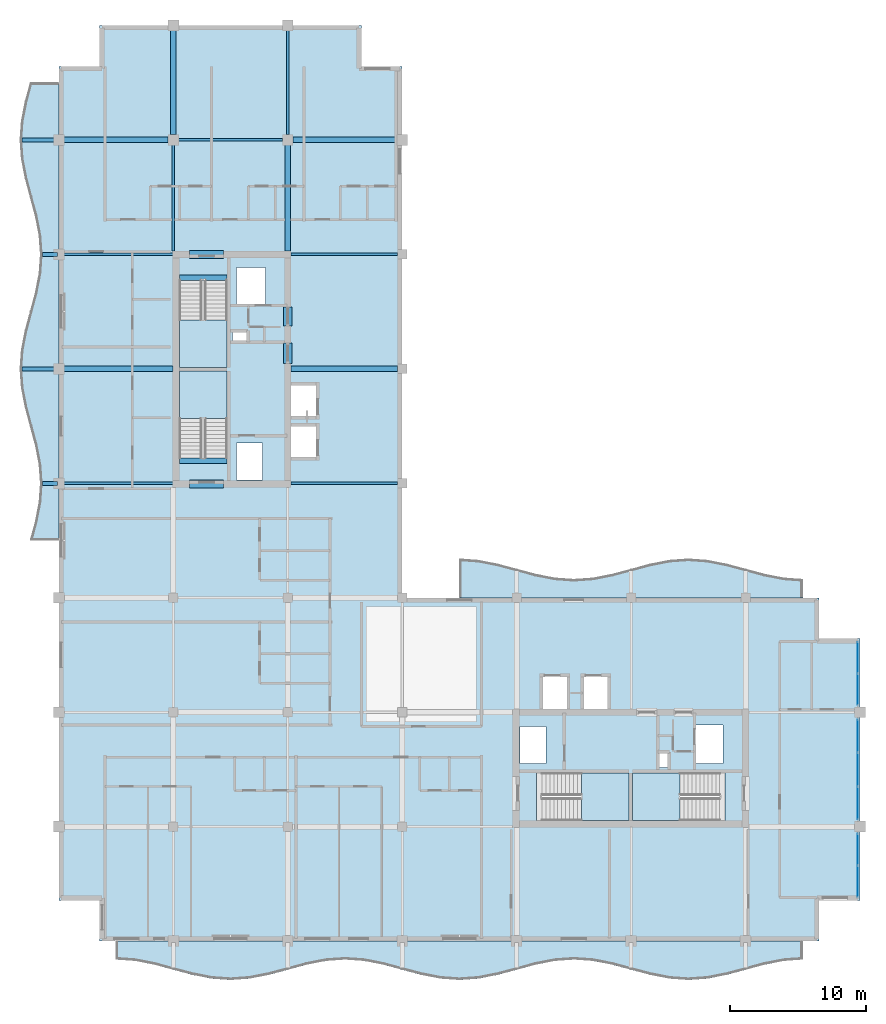
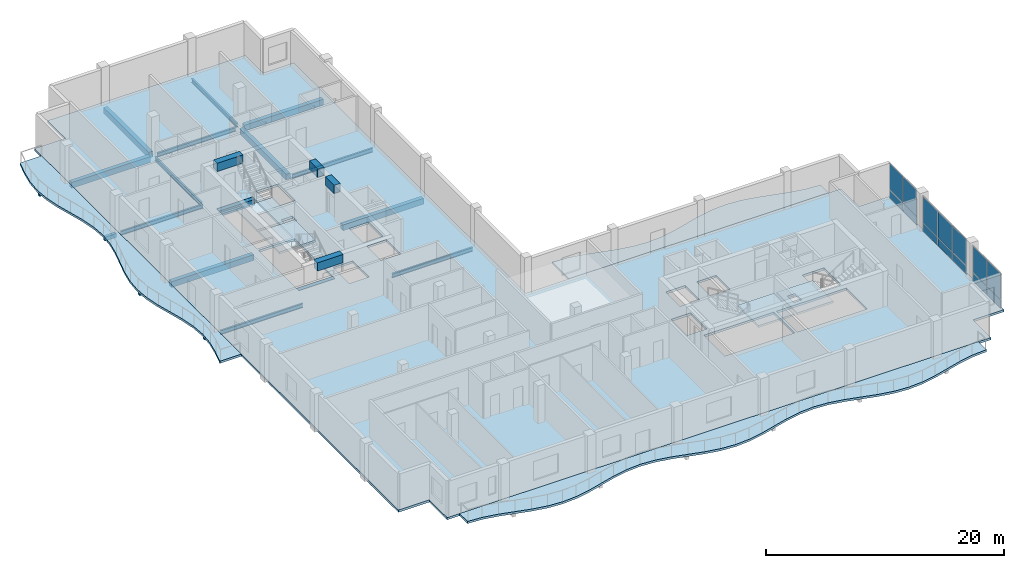
# One storey, part 5 of 15: 23 beams, 14 plates, 8 slabs, 7 elements without a shape of their own.
"""IFC4 building model written with IfcOpenShell, lengths in metres."""

from ifc_helpers import new_model, si_unit, direction, frame, origin, origin_2d, place, context, subcontext, project, spatial, polyline, rectangle, i_section, outline, extrude, material, layer, layer_set, material_profile, profile_set, type_object, element, aggregate, save


model = new_model("IFC4")

# Units and contexts
model_context = context("Model", 3, precision=1e-05, world=origin(), true_north=direction((0.0, 1.0)))
body_context = subcontext(model_context, "Body", "Model", "MODEL_VIEW")
ifc_project = project(units=[si_unit("LENGTHUNIT", "METRE"), si_unit("AREAUNIT", "SQUARE_METRE"), si_unit("VOLUMEUNIT", "CUBIC_METRE"), si_unit("PLANEANGLEUNIT", "RADIAN"), si_unit("MASSUNIT", "GRAM", prefix="KILO")], contexts=[model_context])

# Site, building, storey
site_placement = place(None, origin())
site = spatial("IfcSite", under=ifc_project, at=site_placement, CompositionType="ELEMENT")
building_placement = place(site_placement, origin())
building = spatial("IfcBuilding", under=site, at=building_placement, Name="Koriwani Terraces Tower", CompositionType="ELEMENT")
storey_placement = place(building_placement, frame((0.0, 0.0, 324.199951171875)))
storey = spatial("IfcBuildingStorey", under=building, at=storey_placement, Name="L80", CompositionType="ELEMENT", Elevation=324.199951171875)

# Beams
ifc_material_1 = material(Name="Concrete C40/50", Category="concrete")
ifc_material_profile_1 = material_profile(ifc_material_1, rectangle(XDim=0.300048828125, YDim=0.39990234375, at=origin_2d()), Name="Concrete C40/50", Category="LoadBearing")
ifc_profile_set_1 = profile_set([ifc_material_profile_1], Name="Concrete C40/50")
beam_type_1 = type_object("IfcBeamType", Name="BEAM_RC_BALCONY_RIB_300X400", PredefinedType="JOIST", material=ifc_profile_set_1)
beam_1_placement = place(storey_placement, frame((7.199951171875, 42.0, -0.429931640625), z_axis=(1.0, 0.0, 0.0), x_axis=(0.0, 1.0, 0.0)))
element("IfcBeam", 1, at=beam_1_placement, inside=storey, type_object=beam_type_1, Name="L80 Balcony Bracket Rib W-1", PredefinedType="JOIST", context=body_context, shape_type="SweptSolid", body=[
    extrude(rectangle(XDim=0.300048828125, YDim=0.39990234375, at=origin_2d()), origin(), (0.0, 0.0, 1.0), 1.10009765625),
])
beam_2_placement = place(storey_placement, frame((5.699951171875, 50.39990234375, -0.429931640625), z_axis=(1.0, 0.0, 0.0), x_axis=(0.0, 1.0, 0.0)))
element("IfcBeam", 2, at=beam_2_placement, inside=storey, type_object=beam_type_1, Name="L80 Balcony Bracket Rib W-2", PredefinedType="JOIST", context=body_context, shape_type="SweptSolid", body=[
    extrude(rectangle(XDim=0.300048828125, YDim=0.39990234375, at=origin_2d()), origin(), (0.0, 0.0, 1.0), 2.60009765625),
])
beam_3_placement = place(storey_placement, frame((7.199951171875, 58.800048828125, -0.429931640625), z_axis=(1.0, 0.0, 0.0), x_axis=(0.0, 1.0, 0.0)))
element("IfcBeam", 3, at=beam_3_placement, inside=storey, type_object=beam_type_1, Name="L80 Balcony Bracket Rib W-3", PredefinedType="JOIST", context=body_context, shape_type="SweptSolid", body=[
    extrude(rectangle(XDim=0.300048828125, YDim=0.39990234375, at=origin_2d()), origin(), (0.0, 0.0, 1.0), 1.10009765625),
])
beam_4_placement = place(storey_placement, frame((5.699951171875, 67.199951171875, -0.429931640625), z_axis=(1.0, 0.0, 0.0), x_axis=(0.0, 1.0, 0.0)))
element("IfcBeam", 4, at=beam_4_placement, inside=storey, type_object=beam_type_1, Name="L80 Balcony Bracket Rib W-4", PredefinedType="JOIST", context=body_context, shape_type="SweptSolid", body=[
    extrude(rectangle(XDim=0.300048828125, YDim=0.39990234375, at=origin_2d()), origin(), (0.0, 0.0, 1.0), 2.60009765625),
])
ifc_material_2 = material(Name="Concrete C50/60", Category="concrete")
ifc_material_profile_2 = material_profile(ifc_material_2, rectangle(XDim=0.60009765625, YDim=0.85009765625, at=origin_2d()), Name="Concrete C50/60", Category="LoadBearing")
ifc_profile_set_2 = profile_set([ifc_material_profile_2], Name="Concrete C50/60")
beam_type_2 = type_object("IfcBeamType", Name="BEAM_RC_COUPLING_600X850", PredefinedType="LINTEL", material=ifc_profile_set_2)
beam_5_placement = place(storey_placement, frame((25.199951171875, 50.800048828125, 3.2451171875), z_axis=(0.0, 1.0, 0.0), x_axis=(-1.0, 0.0, 0.0)))
element("IfcBeam", 5, at=beam_5_placement, inside=storey, type_object=beam_type_2, Name="L80 Core Coupling Lintel Beam WE1", PredefinedType="LINTEL", context=body_context, shape_type="SweptSolid", body=[
    extrude(rectangle(XDim=0.60009765625, YDim=0.85009765625, at=origin_2d()), origin(), (0.0, 0.0, 1.0), 1.47998046875),
])
beam_6_placement = place(storey_placement, frame((25.199951171875, 53.550048828125, 3.2451171875), z_axis=(0.0, 1.0, 0.0), x_axis=(-1.0, 0.0, 0.0)))
element("IfcBeam", 6, at=beam_6_placement, inside=storey, type_object=beam_type_2, Name="L80 Core Coupling Lintel Beam WE2", PredefinedType="LINTEL", context=body_context, shape_type="SweptSolid", body=[
    extrude(rectangle(XDim=0.60009765625, YDim=0.85009765625, at=origin_2d()), origin(), (0.0, 0.0, 1.0), 1.39990234375),
])
for number, where, z_axis, x_axis, name in (
    (7, (18.0, 41.949951171875, 3.2451171875), (1.0, 0.0, 0.0), (0.0, 1.0, 0.0), "L80 Core Coupling Lintel Beam WS"),
    (8, (18.0, 58.800048828125, 3.2451171875), (1.0, 0.0, 0.0), (0.0, 1.0, 0.0), "L80 Core Coupling Lintel Beam WN"),
):
    element("IfcBeam", number, at=place(storey_placement, frame(where, z_axis=z_axis, x_axis=x_axis)), inside=storey, type_object=beam_type_2, Name=name, PredefinedType="LINTEL", context=body_context, shape_type="SweptSolid", body=[
        extrude(rectangle(XDim=0.60009765625, YDim=0.85009765625, at=origin_2d()), origin(), (0.0, 0.0, 1.0), 2.5),
    ])
ifc_material_profile_3 = material_profile(ifc_material_1, rectangle(XDim=0.39990234375, YDim=0.60009765625, at=origin_2d()), Name="Concrete C40/50", Category="LoadBearing")
ifc_profile_set_3 = profile_set([ifc_material_profile_3], Name="Concrete C40/50")
beam_type_3 = type_object("IfcBeamType", Name="BEAM_RC_GRID_400X600", PredefinedType="BEAM", material=ifc_profile_set_3)
for number, where, z_axis, x_axis, name in (
    (9, (17.25, 43.655029296875, -0.300048828125), (1.0, 0.0, 0.0), (0.0, 1.0, 0.0), "L80 Stairwell Header Trimmer Beam ST-W1"),
    (10, (17.25, 57.094970703125, -0.300048828125), (1.0, 0.0, 0.0), (0.0, 1.0, 0.0), "L80 Stairwell Header Trimmer Beam ST-W2"),
):
    element("IfcBeam", number, at=place(storey_placement, frame(where, z_axis=z_axis, x_axis=x_axis)), inside=storey, type_object=beam_type_3, Name=name, PredefinedType="BEAM", context=body_context, shape_type="SweptSolid", body=[
        extrude(rectangle(XDim=0.39990234375, YDim=0.60009765625, at=origin_2d()), origin(), (0.0, 0.0, 1.0), 3.5),
    ])
beam_7_placement = place(storey_placement, frame((8.780029296875, 50.39990234375, -0.530029296875), z_axis=(1.0, 0.0, 0.0), x_axis=(0.0, 1.0, 0.0)))
element("IfcBeam", 11, at=beam_7_placement, inside=storey, type_object=beam_type_3, Name="L80 Grid Beam G (8.4-16.8m)", PredefinedType="BEAM", context=body_context, shape_type="SweptSolid", body=[
    extrude(rectangle(XDim=0.39990234375, YDim=0.60009765625, at=origin_2d()), origin(), (0.0, 0.0, 1.0), 7.989990234375),
])
beam_8_placement = place(storey_placement, frame((25.429931640625, 50.39990234375, -0.530029296875), z_axis=(1.0, 0.0, 0.0), x_axis=(0.0, 1.0, 0.0)))
element("IfcBeam", 12, at=beam_8_placement, inside=storey, type_object=beam_type_3, Name="L80 Grid Beam G (25.2-33.6m)", PredefinedType="BEAM", context=body_context, shape_type="SweptSolid", body=[
    extrude(rectangle(XDim=0.39990234375, YDim=0.60009765625, at=origin_2d()), origin(), (0.0, 0.0, 1.0), 7.840087890625),
])
for number, where, z_axis, x_axis, name in (
    (13, (8.780029296875, 67.199951171875, -0.530029296875), (1.0, 0.0, 0.0), (0.0, 1.0, 0.0), "L80 Grid Beam I (8.4-16.8m)"),
    (14, (25.580078125, 67.199951171875, -0.530029296875), (1.0, 0.0, 0.0), (0.0, 1.0, 0.0), "L80 Grid Beam I (25.2-33.6m)"),
    (15, (16.800048828125, 67.580078125, -0.530029296875), (0.0, 1.0, 0.0), (-1.0, 0.0, 0.0), "L80 Grid Beam 3 (67.2-75.6m)"),
):
    element("IfcBeam", number, at=place(storey_placement, frame(where, z_axis=z_axis, x_axis=x_axis)), inside=storey, type_object=beam_type_3, Name=name, PredefinedType="BEAM", context=body_context, shape_type="SweptSolid", body=[
        extrude(rectangle(XDim=0.39990234375, YDim=0.60009765625, at=origin_2d()), origin(), (0.0, 0.0, 1.0), 7.639892578125),
    ])
beam_9_placement = place(storey_placement, frame((25.199951171875, 59.030029296875, -0.530029296875), z_axis=(0.0, 1.0, 0.0), x_axis=(-1.0, 0.0, 0.0)))
element("IfcBeam", 16, at=beam_9_placement, inside=storey, type_object=beam_type_3, Name="L80 Grid Beam 4 (58.8-67.2m)", PredefinedType="BEAM", context=body_context, shape_type="SweptSolid", body=[
    extrude(rectangle(XDim=0.39990234375, YDim=0.60009765625, at=origin_2d()), origin(), (0.0, 0.0, 1.0), 7.7900390625),
])
ifc_material_3 = material(Name="Steel ASTM A572 Grade 50", Category="steel")
ifc_material_profile_4 = material_profile(ifc_material_3, i_section(OverallWidth=0.180908203125, OverallDepth=0.4169921875, WebThickness=0.010986328125, FlangeThickness=0.018310546875, at=origin_2d()), Name="Steel ASTM A572 Grade 50", Category="LoadBearing")
ifc_profile_set_4 = profile_set([ifc_material_profile_4], Name="Steel ASTM A572 Grade 50")
beam_type_4 = type_object("IfcBeamType", Name="STEEL_BEAM_W410X85", PredefinedType="JOIST", material=ifc_profile_set_4)
beam_10_placement = place(storey_placement, frame((8.780029296875, 42.0, -0.4384765625), z_axis=(1.0, 0.0, 0.0), x_axis=(0.0, 1.0, 0.0)))
element("IfcBeam", 17, at=beam_10_placement, inside=storey, type_object=beam_type_4, Name="L80 Grid Beam F (8.4-16.8m)", PredefinedType="JOIST", context=body_context, shape_type="SweptSolid", body=[
    extrude(i_section(OverallWidth=0.180908203125, OverallDepth=0.4169921875, WebThickness=0.010986328125, FlangeThickness=0.018310546875, at=origin_2d()), origin(), (0.0, 0.0, 1.0), 7.989990234375),
])
beam_11_placement = place(storey_placement, frame((25.429931640625, 42.0, -0.4384765625), z_axis=(1.0, 0.0, 0.0), x_axis=(0.0, 1.0, 0.0)))
element("IfcBeam", 18, at=beam_11_placement, inside=storey, type_object=beam_type_4, Name="L80 Grid Beam F (25.2-33.6m)", PredefinedType="JOIST", context=body_context, shape_type="SweptSolid", body=[
    extrude(i_section(OverallWidth=0.180908203125, OverallDepth=0.4169921875, WebThickness=0.010986328125, FlangeThickness=0.018310546875, at=origin_2d()), origin(), (0.0, 0.0, 1.0), 7.840087890625),
])
beam_12_placement = place(storey_placement, frame((8.780029296875, 58.800048828125, -0.4384765625), z_axis=(1.0, 0.0, 0.0), x_axis=(0.0, 1.0, 0.0)))
element("IfcBeam", 19, at=beam_12_placement, inside=storey, type_object=beam_type_4, Name="L80 Grid Beam H (8.4-16.8m)", PredefinedType="JOIST", context=body_context, shape_type="SweptSolid", body=[
    extrude(i_section(OverallWidth=0.180908203125, OverallDepth=0.4169921875, WebThickness=0.010986328125, FlangeThickness=0.018310546875, at=origin_2d()), origin(), (0.0, 0.0, 1.0), 7.989990234375),
])
beam_13_placement = place(storey_placement, frame((25.429931640625, 58.800048828125, -0.4384765625), z_axis=(1.0, 0.0, 0.0), x_axis=(0.0, 1.0, 0.0)))
element("IfcBeam", 20, at=beam_13_placement, inside=storey, type_object=beam_type_4, Name="L80 Grid Beam H (25.2-33.6m)", PredefinedType="JOIST", context=body_context, shape_type="SweptSolid", body=[
    extrude(i_section(OverallWidth=0.180908203125, OverallDepth=0.4169921875, WebThickness=0.010986328125, FlangeThickness=0.018310546875, at=origin_2d()), origin(), (0.0, 0.0, 1.0), 7.840087890625),
])
beam_14_placement = place(storey_placement, frame((17.179931640625, 67.199951171875, -0.4384765625), z_axis=(1.0, 0.0, 0.0), x_axis=(0.0, 1.0, 0.0)))
element("IfcBeam", 21, at=beam_14_placement, inside=storey, type_object=beam_type_4, Name="L80 Grid Beam I (16.8-25.2m)", PredefinedType="JOIST", context=body_context, shape_type="SweptSolid", body=[
    extrude(i_section(OverallWidth=0.180908203125, OverallDepth=0.4169921875, WebThickness=0.010986328125, FlangeThickness=0.018310546875, at=origin_2d()), origin(), (0.0, 0.0, 1.0), 7.64013671875),
])
beam_15_placement = place(storey_placement, frame((16.800048828125, 59.030029296875, -0.4384765625), z_axis=(0.0, 1.0, 0.0), x_axis=(-1.0, 0.0, 0.0)))
element("IfcBeam", 22, at=beam_15_placement, inside=storey, type_object=beam_type_4, Name="L80 Grid Beam 3 (58.8-67.2m)", PredefinedType="JOIST", context=body_context, shape_type="SweptSolid", body=[
    extrude(i_section(OverallWidth=0.180908203125, OverallDepth=0.4169921875, WebThickness=0.010986328125, FlangeThickness=0.018310546875, at=origin_2d()), origin(), (0.0, 0.0, 1.0), 7.7900390625),
])
beam_16_placement = place(storey_placement, frame((25.199951171875, 67.580078125, -0.4384765625), z_axis=(0.0, 1.0, 0.0), x_axis=(-1.0, 0.0, 0.0)))
element("IfcBeam", 23, at=beam_16_placement, inside=storey, type_object=beam_type_4, Name="L80 Grid Beam 4 (67.2-75.6m)", PredefinedType="JOIST", context=body_context, shape_type="SweptSolid", body=[
    extrude(i_section(OverallWidth=0.180908203125, OverallDepth=0.4169921875, WebThickness=0.010986328125, FlangeThickness=0.018310546875, at=origin_2d()), origin(), (0.0, 0.0, 1.0), 7.639892578125),
])

# Curtain wall, plates
ifc_material_4 = material(Name="Anodised Bronze Aluminium", Category="aluminium")
ifc_layer_1 = layer(ifc_material_4, 0.18994140625, Name="Anodised Bronze Aluminium")
ifc_layer_set_1 = layer_set([ifc_layer_1], Name="Anodised Bronze Aluminium")
curtain_wall_type = type_object("IfcCurtainWallType", Name="CW_PENTHOUSE_ZONE5", PredefinedType="NOTDEFINED", material=ifc_layer_set_1)
curtain_wall_1_placement = place(storey_placement, origin())
curtain_wall_1 = element("IfcCurtainWall", 24, at=curtain_wall_1_placement, inside=storey, type_object=curtain_wall_type, Name="L80 Unitised Curtain Wall (E_TIP) Bay 1", PredefinedType="NOTDEFINED")
ifc_material_5 = material(Name="Tempered Laminated Low-E Glass", Category="glass")
ifc_layer_2 = layer(ifc_material_5, 0.028076171875, Name="Tempered Laminated Low-E Glass")
ifc_layer_set_2 = layer_set([ifc_layer_2], Name="Tempered Laminated Low-E Glass")
plate_type = type_object("IfcPlateType", Name="CW_PANEL_VISION_28", PredefinedType="CURTAIN_PANEL", material=ifc_layer_set_2)
plate_1_placement = place(storey_placement, frame((67.02490234375, 29.215087890625, 0.06494140625), z_axis=(0.0, 0.0, 1.0), x_axis=(0.0, -1.0, 0.0)))
plate_1 = element("IfcPlate", 25, at=plate_1_placement, type_object=plate_type, Name="CW-Z5 panel 1.1", PredefinedType="CURTAIN_PANEL", context=body_context, shape_type="SweptSolid", body=[
    extrude(rectangle(XDim=2.27001953125, YDim=0.028076171875, at=origin_2d()), origin(), (0.0, 0.0, 1.0), 0.802490234375),
])
plate_2_placement = place(storey_placement, frame((67.02490234375, 29.215087890625, 0.9326171875), z_axis=(0.0, 0.0, 1.0), x_axis=(0.0, -1.0, 0.0)))
plate_2 = element("IfcPlate", 26, at=plate_2_placement, type_object=plate_type, Name="CW-Z5 panel 1.2", PredefinedType="CURTAIN_PANEL", context=body_context, shape_type="SweptSolid", body=[
    extrude(rectangle(XDim=2.27001953125, YDim=0.028076171875, at=origin_2d()), origin(), (0.0, 0.0, 1.0), 2.672607421875),
])
plate_3_placement = place(storey_placement, frame((67.02490234375, 26.8701171875, 0.06494140625), z_axis=(0.0, 0.0, 1.0), x_axis=(0.0, -1.0, 0.0)))
plate_3 = element("IfcPlate", 27, at=plate_3_placement, type_object=plate_type, Name="CW-Z5 panel 2.1", PredefinedType="CURTAIN_PANEL", context=body_context, shape_type="SweptSolid", body=[
    extrude(rectangle(XDim=2.27001953125, YDim=0.028076171875, at=origin_2d()), origin(), (0.0, 0.0, 1.0), 0.802490234375),
])
plate_4_placement = place(storey_placement, frame((67.02490234375, 26.8701171875, 0.9326171875), z_axis=(0.0, 0.0, 1.0), x_axis=(0.0, -1.0, 0.0)))
plate_4 = element("IfcPlate", 28, at=plate_4_placement, type_object=plate_type, Name="CW-Z5 panel 2.2", PredefinedType="CURTAIN_PANEL", context=body_context, shape_type="SweptSolid", body=[
    extrude(rectangle(XDim=2.27001953125, YDim=0.028076171875, at=origin_2d()), origin(), (0.0, 0.0, 1.0), 2.672607421875),
])
aggregate(curtain_wall_1, [plate_1, plate_2, plate_3, plate_4])

curtain_wall_2_placement = place(storey_placement, origin())
curtain_wall_2 = element("IfcCurtainWall", 29, at=curtain_wall_2_placement, inside=storey, type_object=curtain_wall_type, Name="L80 Unitised Curtain Wall (E_TIP) Bay 2", PredefinedType="NOTDEFINED")
plate_5_placement = place(storey_placement, frame((67.02490234375, 23.474609375, 0.06494140625), z_axis=(0.0, 0.0, 1.0), x_axis=(0.0, -1.0, 0.0)))
plate_5 = element("IfcPlate", 30, at=plate_5_placement, type_object=plate_type, Name="CW-Z5 panel 1.1", PredefinedType="CURTAIN_PANEL", context=body_context, shape_type="SweptSolid", body=[
    extrude(rectangle(XDim=2.380859375, YDim=0.028076171875, at=origin_2d()), origin(), (0.0, 0.0, 1.0), 0.802490234375),
])
plate_6_placement = place(storey_placement, frame((67.02490234375, 23.474609375, 0.9326171875), z_axis=(0.0, 0.0, 1.0), x_axis=(0.0, -1.0, 0.0)))
plate_6 = element("IfcPlate", 31, at=plate_6_placement, type_object=plate_type, Name="CW-Z5 panel 1.2", PredefinedType="CURTAIN_PANEL", context=body_context, shape_type="SweptSolid", body=[
    extrude(rectangle(XDim=2.380859375, YDim=0.028076171875, at=origin_2d()), origin(), (0.0, 0.0, 1.0), 2.672607421875),
])
plate_7_placement = place(storey_placement, frame((67.02490234375, 21.0, 0.06494140625), z_axis=(0.0, 0.0, 1.0), x_axis=(0.0, -1.0, 0.0)))
plate_7 = element("IfcPlate", 32, at=plate_7_placement, type_object=plate_type, Name="CW-Z5 panel 2.1", PredefinedType="CURTAIN_PANEL", context=body_context, shape_type="SweptSolid", body=[
    extrude(rectangle(XDim=2.418212890625, YDim=0.028076171875, at=origin_2d()), origin(), (0.0, 0.0, 1.0), 0.802490234375),
])
plate_8_placement = place(storey_placement, frame((67.02490234375, 21.0, 0.9326171875), z_axis=(0.0, 0.0, 1.0), x_axis=(0.0, -1.0, 0.0)))
plate_8 = element("IfcPlate", 33, at=plate_8_placement, type_object=plate_type, Name="CW-Z5 panel 2.2", PredefinedType="CURTAIN_PANEL", context=body_context, shape_type="SweptSolid", body=[
    extrude(rectangle(XDim=2.418212890625, YDim=0.028076171875, at=origin_2d()), origin(), (0.0, 0.0, 1.0), 2.672607421875),
])
plate_9_placement = place(storey_placement, frame((67.02490234375, 18.525390625, 0.06494140625), z_axis=(0.0, 0.0, 1.0), x_axis=(0.0, -1.0, 0.0)))
plate_9 = element("IfcPlate", 34, at=plate_9_placement, type_object=plate_type, Name="CW-Z5 panel 3.1", PredefinedType="CURTAIN_PANEL", context=body_context, shape_type="SweptSolid", body=[
    extrude(rectangle(XDim=2.380859375, YDim=0.028076171875, at=origin_2d()), origin(), (0.0, 0.0, 1.0), 0.802490234375),
])
plate_10_placement = place(storey_placement, frame((67.02490234375, 18.525390625, 0.9326171875), z_axis=(0.0, 0.0, 1.0), x_axis=(0.0, -1.0, 0.0)))
plate_10 = element("IfcPlate", 35, at=plate_10_placement, type_object=plate_type, Name="CW-Z5 panel 3.2", PredefinedType="CURTAIN_PANEL", context=body_context, shape_type="SweptSolid", body=[
    extrude(rectangle(XDim=2.380859375, YDim=0.028076171875, at=origin_2d()), origin(), (0.0, 0.0, 1.0), 2.672607421875),
])
aggregate(curtain_wall_2, [plate_5, plate_6, plate_7, plate_8, plate_9, plate_10])

curtain_wall_3_placement = place(storey_placement, origin())
curtain_wall_3 = element("IfcCurtainWall", 36, at=curtain_wall_3_placement, inside=storey, type_object=curtain_wall_type, Name="L80 Unitised Curtain Wall (E_TIP) Bay 3", PredefinedType="NOTDEFINED")
plate_11_placement = place(storey_placement, frame((67.02490234375, 15.1298828125, 0.06494140625), z_axis=(0.0, 0.0, 1.0), x_axis=(0.0, -1.0, 0.0)))
plate_11 = element("IfcPlate", 37, at=plate_11_placement, type_object=plate_type, Name="CW-Z5 panel 1.1", PredefinedType="CURTAIN_PANEL", context=body_context, shape_type="SweptSolid", body=[
    extrude(rectangle(XDim=2.27001953125, YDim=0.028076171875, at=origin_2d()), origin(), (0.0, 0.0, 1.0), 0.802490234375),
])
plate_12_placement = place(storey_placement, frame((67.02490234375, 15.1298828125, 0.9326171875), z_axis=(0.0, 0.0, 1.0), x_axis=(0.0, -1.0, 0.0)))
plate_12 = element("IfcPlate", 38, at=plate_12_placement, type_object=plate_type, Name="CW-Z5 panel 1.2", PredefinedType="CURTAIN_PANEL", context=body_context, shape_type="SweptSolid", body=[
    extrude(rectangle(XDim=2.27001953125, YDim=0.028076171875, at=origin_2d()), origin(), (0.0, 0.0, 1.0), 2.672607421875),
])
plate_13_placement = place(storey_placement, frame((67.02490234375, 12.784912109375, 0.06494140625), z_axis=(0.0, 0.0, 1.0), x_axis=(0.0, -1.0, 0.0)))
plate_13 = element("IfcPlate", 39, at=plate_13_placement, type_object=plate_type, Name="CW-Z5 panel 2.1", PredefinedType="CURTAIN_PANEL", context=body_context, shape_type="SweptSolid", body=[
    extrude(rectangle(XDim=2.27001953125, YDim=0.028076171875, at=origin_2d()), origin(), (0.0, 0.0, 1.0), 0.802490234375),
])
plate_14_placement = place(storey_placement, frame((67.02490234375, 12.784912109375, 0.9326171875), z_axis=(0.0, 0.0, 1.0), x_axis=(0.0, -1.0, 0.0)))
plate_14 = element("IfcPlate", 40, at=plate_14_placement, type_object=plate_type, Name="CW-Z5 panel 2.2", PredefinedType="CURTAIN_PANEL", context=body_context, shape_type="SweptSolid", body=[
    extrude(rectangle(XDim=2.27001953125, YDim=0.028076171875, at=origin_2d()), origin(), (0.0, 0.0, 1.0), 2.672607421875),
])
aggregate(curtain_wall_3, [plate_11, plate_12, plate_13, plate_14])

# Slabs
ifc_layer_3 = layer(ifc_material_1, 0.219970703125, Name="Concrete C40/50")
ifc_layer_set_3 = layer_set([ifc_layer_3], Name="Concrete C40/50")
slab_type_1 = type_object("IfcSlabType", Name="SLAB_BALCONY_220", PredefinedType="FLOOR", material=ifc_layer_set_3)
slab_1_placement = place(storey_placement, frame((0.0, 0.0, -0.219970703125)))
element("IfcSlab", 41, at=slab_1_placement, inside=storey, type_object=slab_type_1, Name="L80 Quilted Circular-Arc Balcony (S)", PredefinedType="FLOOR", context=body_context, shape_type="SweptSolid", body=[
    extrude(outline(polyline([(12.60009765625, 8.39990234375), (14.0, 8.39990234375), (15.39990234375, 8.39990234375), (16.800048828125, 8.39990234375), (18.199951171875, 8.39990234375), (19.60009765625, 8.39990234375), (21.0, 8.39990234375), (22.39990234375, 8.39990234375), (23.800048828125, 8.39990234375), (25.199951171875, 8.39990234375), (26.60009765625, 8.39990234375), (28.0, 8.39990234375), (29.39990234375, 8.39990234375), (30.800048828125, 8.39990234375), (32.199951171875, 8.39990234375), (33.60009765625, 8.39990234375), (35.0, 8.39990234375), (36.39990234375, 8.39990234375), (37.800048828125, 8.39990234375), (39.199951171875, 8.39990234375), (40.60009765625, 8.39990234375), (42.0, 8.39990234375), (43.39990234375, 8.39990234375), (44.800048828125, 8.39990234375), (46.199951171875, 8.39990234375), (47.60009765625, 8.39990234375), (49.0, 8.39990234375), (50.39990234375, 8.39990234375), (51.800048828125, 8.39990234375), (53.199951171875, 8.39990234375), (54.60009765625, 8.39990234375), (56.0, 8.39990234375), (57.39990234375, 8.39990234375), (58.800048828125, 8.39990234375), (60.199951171875, 8.39990234375), (61.60009765625, 8.39990234375), (63.0, 8.39990234375), (63.0, 7.050048828125), (61.60009765625, 6.949462890625), (60.199951171875, 6.675048828125), (58.800048828125, 6.300048828125), (57.39990234375, 5.925048828125), (56.0, 5.650390625), (54.60009765625, 5.550048828125), (53.199951171875, 5.650390625), (51.800048828125, 5.925048828125), (50.39990234375, 6.300048828125), (49.0, 6.675048828125), (47.60009765625, 6.949462890625), (46.199951171875, 7.050048828125), (44.800048828125, 6.949462890625), (43.39990234375, 6.675048828125), (42.0, 6.300048828125), (40.60009765625, 5.925048828125), (39.199951171875, 5.650390625), (37.800048828125, 5.550048828125), (36.39990234375, 5.650390625), (35.0, 5.925048828125), (33.60009765625, 6.300048828125), (32.199951171875, 6.675048828125), (30.800048828125, 6.949462890625), (29.39990234375, 7.050048828125), (28.0, 6.949462890625), (26.60009765625, 6.675048828125), (25.199951171875, 6.300048828125), (23.800048828125, 5.925048828125), (22.39990234375, 5.650390625), (21.0, 5.550048828125), (19.60009765625, 5.650390625), (18.199951171875, 5.925048828125), (16.800048828125, 6.300048828125), (15.39990234375, 6.675048828125), (14.0, 6.949462890625), (12.60009765625, 7.050048828125), (12.60009765625, 8.39990234375)])), origin(), (0.0, 0.0, 1.0), 0.219970703125),
])
slab_2_placement = place(storey_placement, frame((0.0, 0.0, -0.219970703125)))
element("IfcSlab", 42, at=slab_2_placement, inside=storey, type_object=slab_type_1, Name="L80 Quilted Circular-Arc Balcony (W)", PredefinedType="FLOOR", context=body_context, shape_type="SweptSolid", body=[
    extrude(outline(polyline([(8.39990234375, 37.800048828125), (8.39990234375, 39.199951171875), (8.39990234375, 40.60009765625), (8.39990234375, 42.0), (8.39990234375, 43.39990234375), (8.39990234375, 44.800048828125), (8.39990234375, 46.199951171875), (8.39990234375, 47.60009765625), (8.39990234375, 49.0), (8.39990234375, 50.39990234375), (8.39990234375, 51.800048828125), (8.39990234375, 53.199951171875), (8.39990234375, 54.60009765625), (8.39990234375, 56.0), (8.39990234375, 57.39990234375), (8.39990234375, 58.800048828125), (8.39990234375, 60.199951171875), (8.39990234375, 61.60009765625), (8.39990234375, 63.0), (8.39990234375, 64.39990234375), (8.39990234375, 65.800048828125), (8.39990234375, 67.199951171875), (8.39990234375, 68.60009765625), (8.39990234375, 70.0), (8.39990234375, 71.39990234375), (6.300048828125, 71.39990234375), (5.925048828125, 70.0), (5.650390625, 68.60009765625), (5.550048828125, 67.199951171875), (5.650390625, 65.800048828125), (5.925048828125, 64.39990234375), (6.300048828125, 63.0), (6.675048828125, 61.60009765625), (6.949462890625, 60.199951171875), (7.050048828125, 58.800048828125), (6.949462890625, 57.39990234375), (6.675048828125, 56.0), (6.300048828125, 54.60009765625), (5.925048828125, 53.199951171875), (5.650390625, 51.800048828125), (5.550048828125, 50.39990234375), (5.650390625, 49.0), (5.925048828125, 47.60009765625), (6.300048828125, 46.199951171875), (6.675048828125, 44.800048828125), (6.949462890625, 43.39990234375), (7.050048828125, 42.0), (6.949462890625, 40.60009765625), (6.675048828125, 39.199951171875), (6.300048828125, 37.800048828125), (8.39990234375, 37.800048828125)])), origin(), (0.0, 0.0, 1.0), 0.219970703125),
])
slab_3_placement = place(storey_placement, frame((0.0, 0.0, -0.219970703125)))
element("IfcSlab", 43, at=slab_3_placement, inside=storey, type_object=slab_type_1, Name="L80 Quilted Circular-Arc Balcony (NE)", PredefinedType="FLOOR", context=body_context, shape_type="SweptSolid", body=[
    extrude(outline(polyline([(63.0, 33.60009765625), (61.60009765625, 33.60009765625), (60.199951171875, 33.60009765625), (58.800048828125, 33.60009765625), (57.39990234375, 33.60009765625), (56.0, 33.60009765625), (54.60009765625, 33.60009765625), (53.199951171875, 33.60009765625), (51.800048828125, 33.60009765625), (50.39990234375, 33.60009765625), (49.0, 33.60009765625), (47.60009765625, 33.60009765625), (46.199951171875, 33.60009765625), (44.800048828125, 33.60009765625), (43.39990234375, 33.60009765625), (42.0, 33.60009765625), (40.60009765625, 33.60009765625), (39.199951171875, 33.60009765625), (37.800048828125, 33.60009765625), (37.800048828125, 36.449951171875), (39.199951171875, 36.349609375), (40.60009765625, 36.074951171875), (42.0, 35.699951171875), (43.39990234375, 35.324951171875), (44.800048828125, 35.050537109375), (46.199951171875, 34.949951171875), (47.60009765625, 35.050537109375), (49.0, 35.324951171875), (50.39990234375, 35.699951171875), (51.800048828125, 36.074951171875), (53.199951171875, 36.349609375), (54.60009765625, 36.449951171875), (56.0, 36.349609375), (57.39990234375, 36.074951171875), (58.800048828125, 35.699951171875), (60.199951171875, 35.324951171875), (61.60009765625, 35.050537109375), (63.0, 34.949951171875), (63.0, 33.60009765625)])), origin(), (0.0, 0.0, 1.0), 0.219970703125),
])
ifc_layer_4 = layer(ifc_material_1, 0.22998046875, Name="Concrete C40/50")
ifc_layer_set_4 = layer_set([ifc_layer_4], Name="Concrete C40/50")
slab_type_2 = type_object("IfcSlabType", Name="SLAB_RES_TYP_230", PredefinedType="FLOOR", material=ifc_layer_set_4)
slab_4_placement = place(storey_placement, frame((0.0, 0.0, -0.22998046875)))
element("IfcSlab", 44, at=slab_4_placement, inside=storey, type_object=slab_type_2, Name="L80 Structural Floor Slab", PredefinedType="FLOOR", context=body_context, shape_type="SweptSolid", body=[
    extrude(outline(polyline([(11.39990234375, 8.39990234375), (64.199951171875, 8.39990234375), (64.199951171875, 11.39990234375), (67.199951171875, 11.39990234375), (67.199951171875, 30.60009765625), (64.199951171875, 30.60009765625), (64.199951171875, 33.60009765625), (33.60009765625, 33.60009765625), (33.60009765625, 72.60009765625), (30.60009765625, 72.60009765625), (30.60009765625, 75.60009765625), (11.39990234375, 75.60009765625), (11.39990234375, 72.60009765625), (8.39990234375, 72.60009765625), (8.39990234375, 11.39990234375), (11.39990234375, 11.39990234375), (11.39990234375, 8.39990234375)]), holes=[polyline([(17.25, 43.4599609375), (20.75, 43.4599609375), (20.75, 50.25), (17.25, 50.25), (17.25, 43.4599609375)]), polyline([(17.25, 50.5), (20.75, 50.5), (20.75, 57.2900390625), (17.25, 57.2900390625), (17.25, 50.5)]), polyline([(43.4599609375, 17.25), (50.25, 17.25), (50.25, 20.75), (43.4599609375, 20.75), (43.4599609375, 17.25)]), polyline([(50.5, 17.25), (57.2900390625, 17.25), (57.2900390625, 20.75), (50.5, 20.75), (50.5, 17.25)]), polyline([(25.449951171875, 43.85009765625), (27.35009765625, 43.85009765625), (27.35009765625, 46.25), (25.449951171875, 46.25), (25.449951171875, 43.85009765625)]), polyline([(25.449951171875, 46.85009765625), (27.35009765625, 46.85009765625), (27.35009765625, 49.25), (25.449951171875, 49.25), (25.449951171875, 46.85009765625)]), polyline([(43.85009765625, 25.449951171875), (45.75, 25.449951171875), (45.75, 27.85009765625), (43.85009765625, 27.85009765625), (43.85009765625, 25.449951171875)]), polyline([(46.85009765625, 25.449951171875), (48.75, 25.449951171875), (48.75, 27.85009765625), (46.85009765625, 27.85009765625), (46.85009765625, 25.449951171875)]), polyline([(21.449951171875, 55.050048828125), (23.550048828125, 55.050048828125), (23.550048828125, 57.85009765625), (21.449951171875, 57.85009765625), (21.449951171875, 55.050048828125)]), polyline([(55.050048828125, 21.449951171875), (57.14990234375, 21.449951171875), (57.14990234375, 24.25), (55.050048828125, 24.25), (55.050048828125, 21.449951171875)]), polyline([(21.449951171875, 42.25), (23.35009765625, 42.25), (23.35009765625, 44.949951171875), (21.449951171875, 44.949951171875), (21.449951171875, 42.25)]), polyline([(42.25, 21.449951171875), (44.14990234375, 21.449951171875), (44.14990234375, 24.14990234375), (42.25, 24.14990234375), (42.25, 21.449951171875)]), polyline([(21.14990234375, 52.419921875), (22.219970703125, 52.419921875), (22.219970703125, 53.179931640625), (21.14990234375, 53.179931640625), (21.14990234375, 52.419921875)]), polyline([(52.419921875, 21.14990234375), (53.179931640625, 21.14990234375), (53.179931640625, 22.219970703125), (52.419921875, 22.219970703125), (52.419921875, 21.14990234375)])]), origin(), (0.0, 0.0, 1.0), 0.22998046875),
])

# Stair, slab
stair_type = type_object("IfcStairType", Name="STAIR_CORE_DOGLEG_1650", PredefinedType="TWO_STRAIGHT_RUN_STAIR", material=ifc_material_1)
stair_1_placement = place(storey_placement, origin())
stair_1 = element("IfcStair", 45, at=stair_1_placement, inside=storey, type_object=stair_type, Name="L80 West Core Exit Stair 1", PredefinedType="HALF_TURN_STAIR")
ifc_layer_5 = layer(ifc_material_1, 0.199951171875, Name="Concrete C40/50")
ifc_layer_set_5 = layer_set([ifc_layer_5], Name="Concrete C40/50")
slab_type_3 = type_object("IfcSlabType", Name="SLAB_STAIR_LANDING_200", PredefinedType="LANDING", material=ifc_layer_set_5)
slab_5_placement = place(storey_placement, frame((0.0, 0.0, 1.75)))
slab_5 = element("IfcSlab", 46, at=slab_5_placement, type_object=slab_type_3, Name="ST-W1 landing 1", PredefinedType="LANDING", context=body_context, shape_type="SweptSolid", body=[
    extrude(outline(polyline([(20.75, 46.75), (20.75, 50.25), (17.25, 50.25), (17.25, 46.75), (20.75, 46.75)])), origin(), (0.0, 0.0, 1.0), 0.199951171875),
])
aggregate(stair_1, [slab_5])

stair_2_placement = place(storey_placement, origin())
stair_2 = element("IfcStair", 47, at=stair_2_placement, inside=storey, type_object=stair_type, Name="L80 West Core Exit Stair 2", PredefinedType="HALF_TURN_STAIR")
slab_6_placement = place(storey_placement, frame((0.0, 0.0, 1.75)))
slab_6 = element("IfcSlab", 48, at=slab_6_placement, type_object=slab_type_3, Name="ST-W2 landing 1", PredefinedType="LANDING", context=body_context, shape_type="SweptSolid", body=[
    extrude(outline(polyline([(17.25, 54.0), (17.25, 50.5), (20.75, 50.5), (20.75, 54.0), (17.25, 54.0)])), origin(), (0.0, 0.0, 1.0), 0.199951171875),
])
aggregate(stair_2, [slab_6])

stair_3_placement = place(storey_placement, origin())
stair_3 = element("IfcStair", 49, at=stair_3_placement, inside=storey, type_object=stair_type, Name="L80 East Core Exit Stair 1", PredefinedType="HALF_TURN_STAIR")
slab_7_placement = place(storey_placement, frame((0.0, 0.0, 1.75)))
slab_7 = element("IfcSlab", 50, at=slab_7_placement, type_object=slab_type_3, Name="ST-E1 landing 1", PredefinedType="LANDING", context=body_context, shape_type="SweptSolid", body=[
    extrude(outline(polyline([(46.75, 17.25), (50.25, 17.25), (50.25, 20.75), (46.75, 20.75), (46.75, 17.25)])), origin(), (0.0, 0.0, 1.0), 0.199951171875),
])
aggregate(stair_3, [slab_7])

stair_4_placement = place(storey_placement, origin())
stair_4 = element("IfcStair", 51, at=stair_4_placement, inside=storey, type_object=stair_type, Name="L80 East Core Exit Stair 2", PredefinedType="HALF_TURN_STAIR")
slab_8_placement = place(storey_placement, frame((0.0, 0.0, 1.75)))
slab_8 = element("IfcSlab", 52, at=slab_8_placement, type_object=slab_type_3, Name="ST-E2 landing 1", PredefinedType="LANDING", context=body_context, shape_type="SweptSolid", body=[
    extrude(outline(polyline([(54.0, 20.75), (50.5, 20.75), (50.5, 17.25), (54.0, 17.25), (54.0, 20.75)])), origin(), (0.0, 0.0, 1.0), 0.199951171875),
])
aggregate(stair_4, [slab_8])

save(model, "model.ifc")
